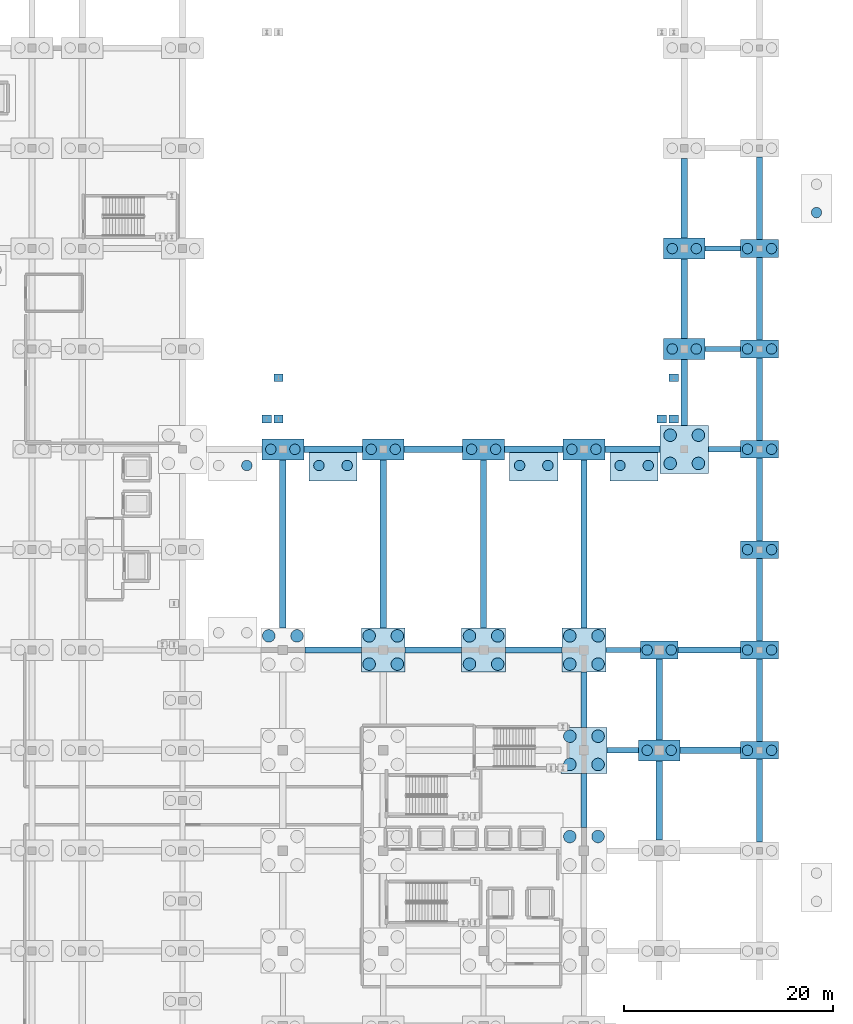
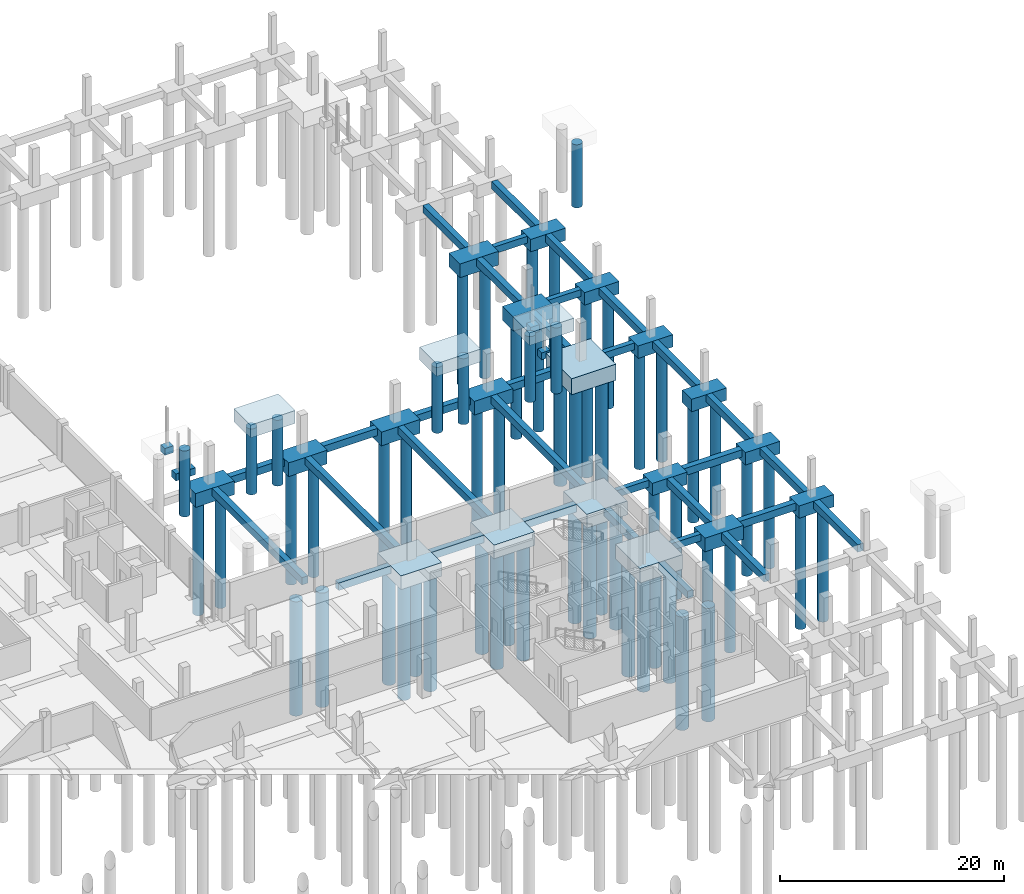
# One storey, part 10 of 54: 60 footings, 60 piles.
"""IFC4 building model written with IfcOpenShell, lengths in metres."""

from ifc_helpers import new_model, si_unit, direction, frame, origin, origin_2d, place, context, subcontext, project, spatial, rectangle, circle, extrude, material, material_profile, profile_set, type_object, element, save


model = new_model("IFC4")

# Units and contexts
model_context = context("Model", 3, precision=1e-05, world=origin(), true_north=direction((0.0, 1.0)))
body_context = subcontext(model_context, "Body", "Model", "MODEL_VIEW")
ifc_project = project(units=[si_unit("LENGTHUNIT", "METRE"), si_unit("AREAUNIT", "SQUARE_METRE"), si_unit("VOLUMEUNIT", "CUBIC_METRE"), si_unit("PLANEANGLEUNIT", "RADIAN"), si_unit("MASSUNIT", "GRAM", prefix="KILO")], contexts=[model_context])

# Site, building, storey
site_placement = place(None, origin())
site = spatial("IfcSite", under=ifc_project, at=site_placement, CompositionType="ELEMENT")
building_placement = place(site_placement, origin())
building = spatial("IfcBuilding", under=site, at=building_placement, Name="Zevrakil Square Congress Hotel", CompositionType="ELEMENT")
storey_placement = place(building_placement, frame((0.0, 0.0, -8.39990234375)))
storey = spatial("IfcBuildingStorey", under=building, at=storey_placement, Name="B2", CompositionType="ELEMENT", Elevation=-8.39990234375)

# Footings
ifc_material_1 = material(Name="Concrete C35/45", Category="concrete")
footing_type_1 = type_object("IfcFootingType", Name="FTG-PC2-360", PredefinedType="PILE_CAP", material=ifc_material_1)
for number, where, z_axis, x_axis, name in (
    (1, (163.199951171875, 45.60009765625, -1.35009765625), (0.0, 0.0, 1.0), (1.0, 0.0, 0.0), "Pile cap PC2-N163-045"),
    (2, (172.800048828125, 36.0, -1.35009765625), (0.0, 0.0, 1.0), (1.0, 0.0, 0.0), "Pile cap PC2-270"),
    (3, (172.800048828125, 45.60009765625, -1.35009765625), (0.0, 0.0, 1.0), (1.0, 0.0, 0.0), "Pile cap PC2-271"),
    (4, (172.800048828125, 55.199951171875, -1.35009765625), (0.0, 0.0, 1.0), (1.0, 0.0, 0.0), "Pile cap PC2-272"),
    (5, (172.800048828125, 64.800048828125, -1.35009765625), (0.0, 0.0, 1.0), (1.0, 0.0, 0.0), "Pile cap PC2-273"),
    (6, (172.800048828125, 74.39990234375, -1.35009765625), (0.0, 0.0, 1.0), (1.0, 0.0, 0.0), "Pile cap PC2-274"),
    (7, (172.800048828125, 84.0, -1.35009765625), (0.0, 0.0, 1.0), (1.0, 0.0, 0.0), "Pile cap PC2-275"),
):
    element("IfcFooting", number, at=place(storey_placement, frame(where, z_axis=z_axis, x_axis=x_axis)), inside=storey, type_object=footing_type_1, Name=name, PredefinedType="PILE_CAP", context=body_context, shape_type="SweptSolid", body=[
        extrude(rectangle(XDim=3.60009765625, YDim=1.699951171875, at=origin_2d()), origin(), (0.0, 0.0, 1.0), 1.35009765625),
    ])
ifc_material_2 = material(Name="Concrete C35/45", Category="concrete")
footing_type_2 = type_object("IfcFootingType", Name="FTG-PC2-400", PredefinedType="PILE_CAP", material=ifc_material_2)
for number, where, z_axis, x_axis, name in (
    (8, (127.199951171875, 64.800048828125, -1.5), (0.0, 0.0, 1.0), (1.0, 0.0, 0.0), "Pile cap PC2-203"),
    (9, (136.800048828125, 64.800048828125, -1.5), (0.0, 0.0, 1.0), (1.0, 0.0, 0.0), "Pile cap PC2-217"),
    (10, (146.39990234375, 64.800048828125, -1.5), (0.0, 0.0, 1.0), (1.0, 0.0, 0.0), "Pile cap PC2-231"),
    (11, (156.0, 64.800048828125, -1.5), (0.0, 0.0, 1.0), (1.0, 0.0, 0.0), "Pile cap PC2-245"),
    (12, (163.199951171875, 36.0, -1.5), (0.0, 0.0, 1.0), (1.0, 0.0, 0.0), "Pile cap PC2-N163-036"),
    (13, (165.60009765625, 74.39990234375, -1.5), (0.0, 0.0, 1.0), (1.0, 0.0, 0.0), "Pile cap PC2-260"),
    (14, (165.60009765625, 84.0, -1.5), (0.0, 0.0, 1.0), (1.0, 0.0, 0.0), "Pile cap PC2-261"),
):
    element("IfcFooting", number, at=place(storey_placement, frame(where, z_axis=z_axis, x_axis=x_axis)), inside=storey, type_object=footing_type_2, Name=name, PredefinedType="PILE_CAP", context=body_context, shape_type="SweptSolid", body=[
        extrude(rectangle(XDim=4.0, YDim=2.0, at=origin_2d()), origin(), (0.0, 0.0, 1.0), 1.5),
    ])
ifc_material_3 = material(Name="Concrete C35/45", Category="concrete")
footing_type_3 = type_object("IfcFootingType", Name="FTG-PC2-460x300", PredefinedType="PILE_CAP", material=ifc_material_3)
for number, where, z_axis, x_axis, name in (
    (15, (160.800048828125, 63.25, 5.75), (0.0, 0.0, 1.0), (1.0, 0.0, 0.0), "Exterior exit landing two-pile cap EX-ST09"),
    (16, (132.0, 63.25, 5.75), (0.0, 0.0, 1.0), (1.0, 0.0, 0.0), "Exterior exit landing two-pile cap EX-CS01"),
    (17, (151.199951171875, 63.25, 5.75), (0.0, 0.0, 1.0), (1.0, 0.0, 0.0), "Exterior exit landing two-pile cap EX-CS02"),
):
    element("IfcFooting", number, at=place(storey_placement, frame(where, z_axis=z_axis, x_axis=x_axis)), inside=storey, type_object=footing_type_3, Name=name, PredefinedType="PILE_CAP", context=body_context, shape_type="SweptSolid", body=[
        extrude(rectangle(XDim=4.60009765625, YDim=3.0, at=origin_2d()), origin(), (0.0, 0.0, 1.0), 1.39990234375),
    ])
ifc_material_4 = material(Name="Concrete C35/45", Category="concrete")
footing_type_4 = type_object("IfcFootingType", Name="FTG-PC4-420", PredefinedType="PILE_CAP", material=ifc_material_4)
for number, where, z_axis, x_axis, name in (
    (18, (136.800048828125, 45.60009765625, -1.5), (0.0, 0.0, 1.0), (1.0, 0.0, 0.0), "Pile cap PC4-215"),
    (19, (146.39990234375, 45.60009765625, -1.5), (0.0, 0.0, 1.0), (1.0, 0.0, 0.0), "Pile cap PC4-229"),
    (20, (156.0, 45.60009765625, -1.5), (0.0, 0.0, 1.0), (1.0, 0.0, 0.0), "Pile cap PC4-243"),
):
    element("IfcFooting", number, at=place(storey_placement, frame(where, z_axis=z_axis, x_axis=x_axis)), inside=storey, type_object=footing_type_4, Name=name, PredefinedType="PILE_CAP", context=body_context, shape_type="SweptSolid", body=[
        extrude(rectangle(XDim=4.199951171875, YDim=4.199951171875, at=origin_2d()), origin(), (0.0, 0.0, 1.0), 1.5),
    ])
ifc_material_5 = material(Name="Concrete C35/45", Category="concrete")
footing_type_5 = type_object("IfcFootingType", Name="FTG-PC4-440", PredefinedType="PILE_CAP", material=ifc_material_5)
footing_1_placement = place(storey_placement, frame((156.0, 36.0, -1.60009765625), z_axis=(0.0, 0.0, 1.0), x_axis=(1.0, 0.0, 0.0)))
element("IfcFooting", 21, at=footing_1_placement, inside=storey, type_object=footing_type_5, Name="Pile cap PC4-242", PredefinedType="PILE_CAP", context=body_context, shape_type="SweptSolid", body=[
    extrude(rectangle(XDim=4.39990234375, YDim=4.39990234375, at=origin_2d()), origin(), (0.0, 0.0, 1.0), 1.60009765625),
])
ifc_material_6 = material(Name="Concrete C35/45", Category="concrete")
footing_type_6 = type_object("IfcFootingType", Name="FTG-PC4-460", PredefinedType="PILE_CAP", material=ifc_material_6)
footing_2_placement = place(storey_placement, frame((165.60009765625, 64.800048828125, -1.75), z_axis=(0.0, 0.0, 1.0), x_axis=(1.0, 0.0, 0.0)))
element("IfcFooting", 22, at=footing_2_placement, inside=storey, type_object=footing_type_6, Name="Pile cap PC4-259", PredefinedType="PILE_CAP", context=body_context, shape_type="SweptSolid", body=[
    extrude(rectangle(XDim=4.60009765625, YDim=4.60009765625, at=origin_2d()), origin(), (0.0, 0.0, 1.0), 1.75),
])
ifc_material_7 = material(Name="Concrete C35/45", Category="concrete")
ifc_material_profile_1 = material_profile(ifc_material_7, rectangle(XDim=0.75, YDim=0.75, at=origin_2d()), Name="RC 750x750")
ifc_profile_set_1 = profile_set([ifc_material_profile_1], Name="Concrete C35/45")
footing_type_7 = type_object("IfcFootingType", Name="FTG-STRIP-750", PredefinedType="STRIP_FOOTING", material=ifc_profile_set_1)
footing_3_placement = place(storey_placement, frame((125.199951171875, 67.699951171875, -0.375), z_axis=(1.0, 0.0, 0.0), x_axis=(0.0, 1.0, 0.0)))
element("IfcFooting", 23, at=footing_3_placement, inside=storey, type_object=footing_type_7, Name="B2 stair post footing ST08-1", PredefinedType="STRIP_FOOTING", context=body_context, shape_type="SweptSolid", body=[
    extrude(rectangle(XDim=0.75, YDim=0.75, at=origin_2d()), origin(), (0.0, 0.0, 1.0), 0.900146484375),
])
for number, where, z_axis, x_axis, name in (
    (24, (126.330078125, 67.699951171875, -0.375), (1.0, 0.0, 0.0), (0.0, 1.0, 0.0), "B2 stair post footing ST08-2"),
    (25, (126.330078125, 71.64990234375, -0.375), (1.0, 0.0, 0.0), (0.0, 1.0, 0.0), "B2 stair post footing ST08-3"),
    (26, (163.0, 67.699951171875, -0.375), (1.0, 0.0, 0.0), (0.0, 1.0, 0.0), "B2 stair post footing ST09-1"),
):
    element("IfcFooting", number, at=place(storey_placement, frame(where, z_axis=z_axis, x_axis=x_axis)), inside=storey, type_object=footing_type_7, Name=name, PredefinedType="STRIP_FOOTING", context=body_context, shape_type="SweptSolid", body=[
        extrude(rectangle(XDim=0.75, YDim=0.75, at=origin_2d()), origin(), (0.0, 0.0, 1.0), 0.89990234375),
    ])
for number, where, z_axis, x_axis, name in (
    (27, (164.1298828125, 67.699951171875, -0.375), (1.0, 0.0, 0.0), (0.0, 1.0, 0.0), "B2 stair post footing ST09-2"),
    (28, (164.1298828125, 71.64990234375, -0.375), (1.0, 0.0, 0.0), (0.0, 1.0, 0.0), "B2 stair post footing ST09-3"),
):
    element("IfcFooting", number, at=place(storey_placement, frame(where, z_axis=z_axis, x_axis=x_axis)), inside=storey, type_object=footing_type_7, Name=name, PredefinedType="STRIP_FOOTING", context=body_context, shape_type="SweptSolid", body=[
        extrude(rectangle(XDim=0.75, YDim=0.75, at=origin_2d()), origin(), (0.0, 0.0, 1.0), 0.900146484375),
    ])
ifc_material_8 = material(Name="Concrete C35/45", Category="concrete")
ifc_material_profile_2 = material_profile(ifc_material_8, rectangle(XDim=0.5, YDim=0.75, at=origin_2d()), Name="RC 500x750")
ifc_profile_set_2 = profile_set([ifc_material_profile_2], Name="Concrete C35/45")
footing_type_8 = type_object("IfcFootingType", Name="FTG-TIE-500x750", PredefinedType="FOOTING_BEAM", material=ifc_profile_set_2)
footing_4_placement = place(storey_placement, frame((158.199951171875, 36.0, -0.375), z_axis=(1.0, 0.0, 0.0), x_axis=(0.0, 1.0, 0.0)))
element("IfcFooting", 29, at=footing_4_placement, inside=storey, type_object=footing_type_8, Name="Ground tie beam GB-086", PredefinedType="FOOTING_BEAM", context=body_context, shape_type="SweptSolid", body=[
    extrude(rectangle(XDim=0.5, YDim=0.75, at=origin_2d()), origin(), (0.0, 0.0, 1.0), 3.0),
])
footing_5_placement = place(storey_placement, frame((158.10009765625, 45.60009765625, -0.375), z_axis=(1.0, 0.0, 0.0), x_axis=(0.0, 1.0, 0.0)))
element("IfcFooting", 30, at=footing_5_placement, inside=storey, type_object=footing_type_8, Name="Ground tie beam GB-104", PredefinedType="FOOTING_BEAM", context=body_context, shape_type="SweptSolid", body=[
    extrude(rectangle(XDim=0.5, YDim=0.75, at=origin_2d()), origin(), (0.0, 0.0, 1.0), 3.2998046875),
])
footing_6_placement = place(storey_placement, frame((167.89990234375, 64.800048828125, -0.375), z_axis=(1.0, 0.0, 0.0), x_axis=(0.0, 1.0, 0.0)))
element("IfcFooting", 31, at=footing_6_placement, inside=storey, type_object=footing_type_8, Name="Ground tie beam GB-131", PredefinedType="FOOTING_BEAM", context=body_context, shape_type="SweptSolid", body=[
    extrude(rectangle(XDim=0.5, YDim=0.75, at=origin_2d()), origin(), (0.0, 0.0, 1.0), 3.10009765625),
])
for number, where, z_axis, x_axis, name in (
    (32, (167.60009765625, 74.39990234375, -0.375), (1.0, 0.0, 0.0), (0.0, 1.0, 0.0), "Ground tie beam GB-141"),
    (33, (167.60009765625, 84.0, -0.375), (1.0, 0.0, 0.0), (0.0, 1.0, 0.0), "Ground tie beam GB-154"),
):
    element("IfcFooting", number, at=place(storey_placement, frame(where, z_axis=z_axis, x_axis=x_axis)), inside=storey, type_object=footing_type_8, Name=name, PredefinedType="FOOTING_BEAM", context=body_context, shape_type="SweptSolid", body=[
        extrude(rectangle(XDim=0.5, YDim=0.75, at=origin_2d()), origin(), (0.0, 0.0, 1.0), 3.39990234375),
    ])
ifc_material_9 = material(Name="Concrete C35/45", Category="concrete")
ifc_material_profile_3 = material_profile(ifc_material_9, rectangle(XDim=0.60009765625, YDim=0.800048828125, at=origin_2d()), Name="RC 600x800")
ifc_profile_set_3 = profile_set([ifc_material_profile_3], Name="Concrete C35/45")
footing_type_9 = type_object("IfcFootingType", Name="FTG-TIE-600x800", PredefinedType="FOOTING_BEAM", material=ifc_profile_set_3)
footing_7_placement = place(storey_placement, frame((165.199951171875, 36.0, -0.400146484375), z_axis=(1.0, 0.0, 0.0), x_axis=(0.0, 1.0, 0.0)))
element("IfcFooting", 34, at=footing_7_placement, inside=storey, type_object=footing_type_9, Name="Ground tie beam GB-087", PredefinedType="FOOTING_BEAM", context=body_context, shape_type="SweptSolid", body=[
    extrude(rectangle(XDim=0.60009765625, YDim=0.800048828125, at=origin_2d()), origin(), (0.0, 0.0, 1.0), 5.800048828125),
])
footing_8_placement = place(storey_placement, frame((129.300048828125, 45.60009765625, -0.400146484375), z_axis=(1.0, 0.0, 0.0), x_axis=(0.0, 1.0, 0.0)))
element("IfcFooting", 35, at=footing_8_placement, inside=storey, type_object=footing_type_9, Name="Ground tie beam GB-101", PredefinedType="FOOTING_BEAM", context=body_context, shape_type="SweptSolid", body=[
    extrude(rectangle(XDim=0.60009765625, YDim=0.800048828125, at=origin_2d()), origin(), (0.0, 0.0, 1.0), 5.39990234375),
])
footing_9_placement = place(storey_placement, frame((138.89990234375, 45.60009765625, -0.400146484375), z_axis=(1.0, 0.0, 0.0), x_axis=(0.0, 1.0, 0.0)))
element("IfcFooting", 36, at=footing_9_placement, inside=storey, type_object=footing_type_9, Name="Ground tie beam GB-102", PredefinedType="FOOTING_BEAM", context=body_context, shape_type="SweptSolid", body=[
    extrude(rectangle(XDim=0.60009765625, YDim=0.800048828125, at=origin_2d()), origin(), (0.0, 0.0, 1.0), 5.400146484375),
])
footing_10_placement = place(storey_placement, frame((148.5, 45.60009765625, -0.400146484375), z_axis=(1.0, 0.0, 0.0), x_axis=(0.0, 1.0, 0.0)))
element("IfcFooting", 37, at=footing_10_placement, inside=storey, type_object=footing_type_9, Name="Ground tie beam GB-103", PredefinedType="FOOTING_BEAM", context=body_context, shape_type="SweptSolid", body=[
    extrude(rectangle(XDim=0.60009765625, YDim=0.800048828125, at=origin_2d()), origin(), (0.0, 0.0, 1.0), 5.39990234375),
])
footing_11_placement = place(storey_placement, frame((165.0, 45.60009765625, -0.400146484375), z_axis=(1.0, 0.0, 0.0), x_axis=(0.0, 1.0, 0.0)))
element("IfcFooting", 38, at=footing_11_placement, inside=storey, type_object=footing_type_9, Name="Ground tie beam GB-105", PredefinedType="FOOTING_BEAM", context=body_context, shape_type="SweptSolid", body=[
    extrude(rectangle(XDim=0.60009765625, YDim=0.800048828125, at=origin_2d()), origin(), (0.0, 0.0, 1.0), 6.0),
])
footing_12_placement = place(storey_placement, frame((129.199951171875, 64.800048828125, -0.400146484375), z_axis=(1.0, 0.0, 0.0), x_axis=(0.0, 1.0, 0.0)))
element("IfcFooting", 39, at=footing_12_placement, inside=storey, type_object=footing_type_9, Name="Ground tie beam GB-127", PredefinedType="FOOTING_BEAM", context=body_context, shape_type="SweptSolid", body=[
    extrude(rectangle(XDim=0.60009765625, YDim=0.800048828125, at=origin_2d()), origin(), (0.0, 0.0, 1.0), 5.60009765625),
])
footing_13_placement = place(storey_placement, frame((138.800048828125, 64.800048828125, -0.400146484375), z_axis=(1.0, 0.0, 0.0), x_axis=(0.0, 1.0, 0.0)))
element("IfcFooting", 40, at=footing_13_placement, inside=storey, type_object=footing_type_9, Name="Ground tie beam GB-128", PredefinedType="FOOTING_BEAM", context=body_context, shape_type="SweptSolid", body=[
    extrude(rectangle(XDim=0.60009765625, YDim=0.800048828125, at=origin_2d()), origin(), (0.0, 0.0, 1.0), 5.599853515625),
])
footing_14_placement = place(storey_placement, frame((148.39990234375, 64.800048828125, -0.400146484375), z_axis=(1.0, 0.0, 0.0), x_axis=(0.0, 1.0, 0.0)))
element("IfcFooting", 41, at=footing_14_placement, inside=storey, type_object=footing_type_9, Name="Ground tie beam GB-129", PredefinedType="FOOTING_BEAM", context=body_context, shape_type="SweptSolid", body=[
    extrude(rectangle(XDim=0.60009765625, YDim=0.800048828125, at=origin_2d()), origin(), (0.0, 0.0, 1.0), 5.60009765625),
])
footing_15_placement = place(storey_placement, frame((158.0, 64.800048828125, -0.400146484375), z_axis=(1.0, 0.0, 0.0), x_axis=(0.0, 1.0, 0.0)))
element("IfcFooting", 42, at=footing_15_placement, inside=storey, type_object=footing_type_9, Name="Ground tie beam GB-130", PredefinedType="FOOTING_BEAM", context=body_context, shape_type="SweptSolid", body=[
    extrude(rectangle(XDim=0.60009765625, YDim=0.800048828125, at=origin_2d()), origin(), (0.0, 0.0, 1.0), 5.300048828125),
])
for number, where, z_axis, x_axis, name in (
    (43, (127.199951171875, 47.699951171875, -0.400146484375), (0.0, 1.0, 0.0), (-1.0, 0.0, 0.0), "Ground tie beam GB-396"),
    (44, (136.800048828125, 47.699951171875, -0.400146484375), (0.0, 1.0, 0.0), (-1.0, 0.0, 0.0), "Ground tie beam GB-403"),
    (45, (146.39990234375, 47.699951171875, -0.400146484375), (0.0, 1.0, 0.0), (-1.0, 0.0, 0.0), "Ground tie beam GB-407"),
):
    element("IfcFooting", number, at=place(storey_placement, frame(where, z_axis=z_axis, x_axis=x_axis)), inside=storey, type_object=footing_type_9, Name=name, PredefinedType="FOOTING_BEAM", context=body_context, shape_type="SweptSolid", body=[
        extrude(rectangle(XDim=0.60009765625, YDim=0.800048828125, at=origin_2d()), origin(), (0.0, 0.0, 1.0), 16.10009765625),
    ])
footing_16_placement = place(storey_placement, frame((156.0, 28.60009765625, -0.400146484375), z_axis=(0.0, 1.0, 0.0), x_axis=(-1.0, 0.0, 0.0)))
element("IfcFooting", 46, at=footing_16_placement, inside=storey, type_object=footing_type_9, Name="Ground tie beam GB-412", PredefinedType="FOOTING_BEAM", context=body_context, shape_type="SweptSolid", body=[
    extrude(rectangle(XDim=0.60009765625, YDim=0.800048828125, at=origin_2d()), origin(), (0.0, 0.0, 1.0), 5.199951171875),
])
footing_17_placement = place(storey_placement, frame((156.0, 38.199951171875, -0.400146484375), z_axis=(0.0, 1.0, 0.0), x_axis=(-1.0, 0.0, 0.0)))
element("IfcFooting", 47, at=footing_17_placement, inside=storey, type_object=footing_type_9, Name="Ground tie beam GB-413", PredefinedType="FOOTING_BEAM", context=body_context, shape_type="SweptSolid", body=[
    extrude(rectangle(XDim=0.60009765625, YDim=0.800048828125, at=origin_2d()), origin(), (0.0, 0.0, 1.0), 5.300048828125),
])
footing_18_placement = place(storey_placement, frame((156.0, 47.699951171875, -0.400146484375), z_axis=(0.0, 1.0, 0.0), x_axis=(-1.0, 0.0, 0.0)))
element("IfcFooting", 48, at=footing_18_placement, inside=storey, type_object=footing_type_9, Name="Ground tie beam GB-414", PredefinedType="FOOTING_BEAM", context=body_context, shape_type="SweptSolid", body=[
    extrude(rectangle(XDim=0.60009765625, YDim=0.800048828125, at=origin_2d()), origin(), (0.0, 0.0, 1.0), 16.10009765625),
])
footing_19_placement = place(storey_placement, frame((163.199951171875, 27.39990234375, -0.400146484375), z_axis=(0.0, 1.0, 0.0), x_axis=(-1.0, 0.0, 0.0)))
element("IfcFooting", 49, at=footing_19_placement, inside=storey, type_object=footing_type_9, Name="Ground tie beam GB-418", PredefinedType="FOOTING_BEAM", context=body_context, shape_type="SweptSolid", body=[
    extrude(rectangle(XDim=0.60009765625, YDim=0.800048828125, at=origin_2d()), origin(), (0.0, 0.0, 1.0), 7.60009765625),
])
footing_20_placement = place(storey_placement, frame((163.199951171875, 37.0, -0.400146484375), z_axis=(0.0, 1.0, 0.0), x_axis=(-1.0, 0.0, 0.0)))
element("IfcFooting", 50, at=footing_20_placement, inside=storey, type_object=footing_type_9, Name="Ground tie beam GB-419", PredefinedType="FOOTING_BEAM", context=body_context, shape_type="SweptSolid", body=[
    extrude(rectangle(XDim=0.60009765625, YDim=0.800048828125, at=origin_2d()), origin(), (0.0, 0.0, 1.0), 7.75),
])
footing_21_placement = place(storey_placement, frame((165.60009765625, 67.10009765625, -0.400146484375), z_axis=(0.0, 1.0, 0.0), x_axis=(-1.0, 0.0, 0.0)))
element("IfcFooting", 51, at=footing_21_placement, inside=storey, type_object=footing_type_9, Name="Ground tie beam GB-420", PredefinedType="FOOTING_BEAM", context=body_context, shape_type="SweptSolid", body=[
    extrude(rectangle(XDim=0.60009765625, YDim=0.800048828125, at=origin_2d()), origin(), (0.0, 0.0, 1.0), 6.2998046875),
])
for number, where, z_axis, x_axis, name in (
    (52, (165.60009765625, 75.39990234375, -0.400146484375), (0.0, 1.0, 0.0), (-1.0, 0.0, 0.0), "Ground tie beam GB-421"),
    (53, (165.60009765625, 85.0, -0.400146484375), (0.0, 1.0, 0.0), (-1.0, 0.0, 0.0), "Ground tie beam GB-422"),
):
    element("IfcFooting", number, at=place(storey_placement, frame(where, z_axis=z_axis, x_axis=x_axis)), inside=storey, type_object=footing_type_9, Name=name, PredefinedType="FOOTING_BEAM", context=body_context, shape_type="SweptSolid", body=[
        extrude(rectangle(XDim=0.60009765625, YDim=0.800048828125, at=origin_2d()), origin(), (0.0, 0.0, 1.0), 7.60009765625),
    ])
for number, where, z_axis, x_axis, name in (
    (54, (172.800048828125, 27.25, -0.400146484375), (0.0, 1.0, 0.0), (-1.0, 0.0, 0.0), "Ground tie beam GB-429"),
    (55, (172.800048828125, 36.85009765625, -0.400146484375), (0.0, 1.0, 0.0), (-1.0, 0.0, 0.0), "Ground tie beam GB-430"),
):
    element("IfcFooting", number, at=place(storey_placement, frame(where, z_axis=z_axis, x_axis=x_axis)), inside=storey, type_object=footing_type_9, Name=name, PredefinedType="FOOTING_BEAM", context=body_context, shape_type="SweptSolid", body=[
        extrude(rectangle(XDim=0.60009765625, YDim=0.800048828125, at=origin_2d()), origin(), (0.0, 0.0, 1.0), 7.89990234375),
    ])
footing_22_placement = place(storey_placement, frame((172.800048828125, 46.449951171875, -0.400146484375), z_axis=(0.0, 1.0, 0.0), x_axis=(-1.0, 0.0, 0.0)))
element("IfcFooting", 56, at=footing_22_placement, inside=storey, type_object=footing_type_9, Name="Ground tie beam GB-431", PredefinedType="FOOTING_BEAM", context=body_context, shape_type="SweptSolid", body=[
    extrude(rectangle(XDim=0.60009765625, YDim=0.800048828125, at=origin_2d()), origin(), (0.0, 0.0, 1.0), 7.900146484375),
])
footing_23_placement = place(storey_placement, frame((172.800048828125, 56.050048828125, -0.400146484375), z_axis=(0.0, 1.0, 0.0), x_axis=(-1.0, 0.0, 0.0)))
element("IfcFooting", 57, at=footing_23_placement, inside=storey, type_object=footing_type_9, Name="Ground tie beam GB-432", PredefinedType="FOOTING_BEAM", context=body_context, shape_type="SweptSolid", body=[
    extrude(rectangle(XDim=0.60009765625, YDim=0.800048828125, at=origin_2d()), origin(), (0.0, 0.0, 1.0), 7.89990234375),
])
footing_24_placement = place(storey_placement, frame((172.800048828125, 65.64990234375, -0.400146484375), z_axis=(0.0, 1.0, 0.0), x_axis=(-1.0, 0.0, 0.0)))
element("IfcFooting", 58, at=footing_24_placement, inside=storey, type_object=footing_type_9, Name="Ground tie beam GB-433", PredefinedType="FOOTING_BEAM", context=body_context, shape_type="SweptSolid", body=[
    extrude(rectangle(XDim=0.60009765625, YDim=0.800048828125, at=origin_2d()), origin(), (0.0, 0.0, 1.0), 7.900146484375),
])
for number, where, z_axis, x_axis, name in (
    (59, (172.800048828125, 75.25, -0.400146484375), (0.0, 1.0, 0.0), (-1.0, 0.0, 0.0), "Ground tie beam GB-434"),
    (60, (172.800048828125, 84.85009765625, -0.400146484375), (0.0, 1.0, 0.0), (-1.0, 0.0, 0.0), "Ground tie beam GB-435"),
):
    element("IfcFooting", number, at=place(storey_placement, frame(where, z_axis=z_axis, x_axis=x_axis)), inside=storey, type_object=footing_type_9, Name=name, PredefinedType="FOOTING_BEAM", context=body_context, shape_type="SweptSolid", body=[
        extrude(rectangle(XDim=0.60009765625, YDim=0.800048828125, at=origin_2d()), origin(), (0.0, 0.0, 1.0), 7.89990234375),
    ])

# Piles
ifc_material_10 = material(Name="Concrete C35/45", Category="concrete")
ifc_material_profile_4 = material_profile(ifc_material_10, circle(Radius=0.5, at=origin_2d()), Name="PILE D1000")
ifc_profile_set_4 = profile_set([ifc_material_profile_4], Name="Concrete C35/45")
pile_type_1 = type_object("IfcPileType", Name="PILE-BORED-1000", PredefinedType="BORED", material=ifc_profile_set_4)
for number, where, z_axis, x_axis, name in (
    (61, (126.050048828125, 64.800048828125, -1.400146484375), (0.0, 0.0, -1.0), (1.0, 0.0, 0.0), "Bored pile PC2-203-1"),
    (62, (128.35009765625, 64.800048828125, -1.400146484375), (0.0, 0.0, -1.0), (1.0, 0.0, 0.0), "Bored pile PC2-203-2"),
    (63, (135.64990234375, 64.800048828125, -1.400146484375), (0.0, 0.0, -1.0), (1.0, 0.0, 0.0), "Bored pile PC2-217-1"),
    (64, (137.949951171875, 64.800048828125, -1.400146484375), (0.0, 0.0, -1.0), (1.0, 0.0, 0.0), "Bored pile PC2-217-2"),
    (65, (145.25, 64.800048828125, -1.400146484375), (0.0, 0.0, -1.0), (1.0, 0.0, 0.0), "Bored pile PC2-231-1"),
    (66, (147.550048828125, 64.800048828125, -1.400146484375), (0.0, 0.0, -1.0), (1.0, 0.0, 0.0), "Bored pile PC2-231-2"),
    (67, (154.85009765625, 64.800048828125, -1.400146484375), (0.0, 0.0, -1.0), (1.0, 0.0, 0.0), "Bored pile PC2-245-1"),
    (68, (157.14990234375, 64.800048828125, -1.400146484375), (0.0, 0.0, -1.0), (1.0, 0.0, 0.0), "Bored pile PC2-245-2"),
    (69, (162.050048828125, 36.0, -1.400146484375), (0.0, 0.0, -1.0), (1.0, 0.0, 0.0), "Bored pile PC2-N163-036-1"),
    (70, (164.35009765625, 36.0, -1.400146484375), (0.0, 0.0, -1.0), (1.0, 0.0, 0.0), "Bored pile PC2-N163-036-2"),
):
    element("IfcPile", number, at=place(storey_placement, frame(where, z_axis=z_axis, x_axis=x_axis)), inside=storey, type_object=pile_type_1, Name=name, PredefinedType="BORED", context=body_context, shape_type="SweptSolid", body=[
        extrude(circle(Radius=0.5, at=origin_2d()), origin(), (0.0, 0.0, 1.0), 12.5),
    ])
for number, where, z_axis, x_axis, name in (
    (71, (162.050048828125, 45.60009765625, -1.25), (0.0, 0.0, -1.0), (1.0, 0.0, 0.0), "Bored pile PC2-N163-045-1"),
    (72, (164.35009765625, 45.60009765625, -1.25), (0.0, 0.0, -1.0), (1.0, 0.0, 0.0), "Bored pile PC2-N163-045-2"),
):
    element("IfcPile", number, at=place(storey_placement, frame(where, z_axis=z_axis, x_axis=x_axis)), inside=storey, type_object=pile_type_1, Name=name, PredefinedType="BORED", context=body_context, shape_type="SweptSolid", body=[
        extrude(circle(Radius=0.5, at=origin_2d()), origin(), (0.0, 0.0, 1.0), 12.64990234375),
    ])
for number, where, z_axis, x_axis, name in (
    (73, (164.449951171875, 74.39990234375, -1.400146484375), (0.0, 0.0, -1.0), (1.0, 0.0, 0.0), "Bored pile PC2-260-1"),
    (74, (166.75, 74.39990234375, -1.400146484375), (0.0, 0.0, -1.0), (1.0, 0.0, 0.0), "Bored pile PC2-260-2"),
    (75, (164.449951171875, 84.0, -1.400146484375), (0.0, 0.0, -1.0), (1.0, 0.0, 0.0), "Bored pile PC2-261-1"),
    (76, (166.75, 84.0, -1.400146484375), (0.0, 0.0, -1.0), (1.0, 0.0, 0.0), "Bored pile PC2-261-2"),
):
    element("IfcPile", number, at=place(storey_placement, frame(where, z_axis=z_axis, x_axis=x_axis)), inside=storey, type_object=pile_type_1, Name=name, PredefinedType="BORED", context=body_context, shape_type="SweptSolid", body=[
        extrude(circle(Radius=0.5, at=origin_2d()), origin(), (0.0, 0.0, 1.0), 12.5),
    ])
for number, where, z_axis, x_axis, name in (
    (77, (171.64990234375, 36.0, -1.25), (0.0, 0.0, -1.0), (1.0, 0.0, 0.0), "Bored pile PC2-270-1"),
    (78, (173.949951171875, 36.0, -1.25), (0.0, 0.0, -1.0), (1.0, 0.0, 0.0), "Bored pile PC2-270-2"),
    (79, (171.64990234375, 45.60009765625, -1.25), (0.0, 0.0, -1.0), (1.0, 0.0, 0.0), "Bored pile PC2-271-1"),
    (80, (173.949951171875, 45.60009765625, -1.25), (0.0, 0.0, -1.0), (1.0, 0.0, 0.0), "Bored pile PC2-271-2"),
    (81, (171.64990234375, 55.199951171875, -1.25), (0.0, 0.0, -1.0), (1.0, 0.0, 0.0), "Bored pile PC2-272-1"),
    (82, (173.949951171875, 55.199951171875, -1.25), (0.0, 0.0, -1.0), (1.0, 0.0, 0.0), "Bored pile PC2-272-2"),
    (83, (171.64990234375, 64.800048828125, -1.25), (0.0, 0.0, -1.0), (1.0, 0.0, 0.0), "Bored pile PC2-273-1"),
    (84, (173.949951171875, 64.800048828125, -1.25), (0.0, 0.0, -1.0), (1.0, 0.0, 0.0), "Bored pile PC2-273-2"),
    (85, (171.64990234375, 74.39990234375, -1.25), (0.0, 0.0, -1.0), (1.0, 0.0, 0.0), "Bored pile PC2-274-1"),
    (86, (173.949951171875, 74.39990234375, -1.25), (0.0, 0.0, -1.0), (1.0, 0.0, 0.0), "Bored pile PC2-274-2"),
    (87, (171.64990234375, 84.0, -1.25), (0.0, 0.0, -1.0), (1.0, 0.0, 0.0), "Bored pile PC2-275-1"),
    (88, (173.949951171875, 84.0, -1.25), (0.0, 0.0, -1.0), (1.0, 0.0, 0.0), "Bored pile PC2-275-2"),
):
    element("IfcPile", number, at=place(storey_placement, frame(where, z_axis=z_axis, x_axis=x_axis)), inside=storey, type_object=pile_type_1, Name=name, PredefinedType="BORED", context=body_context, shape_type="SweptSolid", body=[
        extrude(circle(Radius=0.5, at=origin_2d()), origin(), (0.0, 0.0, 1.0), 12.64990234375),
    ])
for number, where, z_axis, x_axis, name in (
    (89, (123.75, 63.25, 5.849853515625), (0.0, 0.0, -1.0), (1.0, 0.0, 0.0), "Exterior exit apron bored pile EX-ST08-2"),
    (90, (159.449951171875, 63.25, 5.849853515625), (0.0, 0.0, -1.0), (1.0, 0.0, 0.0), "Exterior exit apron bored pile EX-ST09-1"),
    (91, (162.14990234375, 63.25, 5.849853515625), (0.0, 0.0, -1.0), (1.0, 0.0, 0.0), "Exterior exit apron bored pile EX-ST09-2"),
    (92, (130.64990234375, 63.25, 5.849853515625), (0.0, 0.0, -1.0), (1.0, 0.0, 0.0), "Exterior exit apron bored pile EX-CS01-1"),
    (93, (133.35009765625, 63.25, 5.849853515625), (0.0, 0.0, -1.0), (1.0, 0.0, 0.0), "Exterior exit apron bored pile EX-CS01-2"),
    (94, (149.85009765625, 63.25, 5.849853515625), (0.0, 0.0, -1.0), (1.0, 0.0, 0.0), "Exterior exit apron bored pile EX-CS02-1"),
    (95, (152.550048828125, 63.25, 5.849853515625), (0.0, 0.0, -1.0), (1.0, 0.0, 0.0), "Exterior exit apron bored pile EX-CS02-2"),
):
    element("IfcPile", number, at=place(storey_placement, frame(where, z_axis=z_axis, x_axis=x_axis)), inside=storey, type_object=pile_type_1, Name=name, PredefinedType="BORED", context=body_context, shape_type="SweptSolid", body=[
        extrude(circle(Radius=0.5, at=origin_2d()), origin(), (0.0, 0.0, 1.0), 7.199951171875),
    ])
pile_placement = place(storey_placement, frame((178.25, 87.449951171875, 5.5498046875), z_axis=(0.0, 0.0, -1.0), x_axis=(1.0, 0.0, 0.0)))
element("IfcPile", 96, at=pile_placement, inside=storey, type_object=pile_type_1, Name="Accessible ramp apron bored pile PR-05-1", PredefinedType="BORED", context=body_context, shape_type="SweptSolid", body=[
    extrude(circle(Radius=0.5, at=origin_2d()), origin(), (0.0, 0.0, 1.0), 6.89990234375),
])
ifc_material_11 = material(Name="Concrete C35/45", Category="concrete")
ifc_material_profile_5 = material_profile(ifc_material_11, circle(Radius=0.60009765625, at=origin_2d()), Name="PILE D1200")
ifc_profile_set_5 = profile_set([ifc_material_profile_5], Name="Concrete C35/45")
pile_type_2 = type_object("IfcPileType", Name="PILE-BORED-1200", PredefinedType="BORED", material=ifc_profile_set_5)
for number, where, z_axis, x_axis, name in (
    (97, (125.85009765625, 46.949951171875, -1.400146484375), (0.0, 0.0, -1.0), (1.0, 0.0, 0.0), "Bored pile PC4-201-3"),
    (98, (128.550048828125, 46.949951171875, -1.400146484375), (0.0, 0.0, -1.0), (1.0, 0.0, 0.0), "Bored pile PC4-201-4"),
    (99, (135.449951171875, 44.25, -1.400146484375), (0.0, 0.0, -1.0), (1.0, 0.0, 0.0), "Bored pile PC4-215-1"),
    (100, (138.14990234375, 44.25, -1.400146484375), (0.0, 0.0, -1.0), (1.0, 0.0, 0.0), "Bored pile PC4-215-2"),
    (101, (135.449951171875, 46.949951171875, -1.400146484375), (0.0, 0.0, -1.0), (1.0, 0.0, 0.0), "Bored pile PC4-215-3"),
    (102, (138.14990234375, 46.949951171875, -1.400146484375), (0.0, 0.0, -1.0), (1.0, 0.0, 0.0), "Bored pile PC4-215-4"),
    (103, (145.050048828125, 44.25, -1.400146484375), (0.0, 0.0, -1.0), (1.0, 0.0, 0.0), "Bored pile PC4-229-1"),
    (104, (147.75, 44.25, -1.400146484375), (0.0, 0.0, -1.0), (1.0, 0.0, 0.0), "Bored pile PC4-229-2"),
    (105, (145.050048828125, 46.949951171875, -1.400146484375), (0.0, 0.0, -1.0), (1.0, 0.0, 0.0), "Bored pile PC4-229-3"),
    (106, (147.75, 46.949951171875, -1.400146484375), (0.0, 0.0, -1.0), (1.0, 0.0, 0.0), "Bored pile PC4-229-4"),
):
    element("IfcPile", number, at=place(storey_placement, frame(where, z_axis=z_axis, x_axis=x_axis)), inside=storey, type_object=pile_type_2, Name=name, PredefinedType="BORED", context=body_context, shape_type="SweptSolid", body=[
        extrude(circle(Radius=0.60009765625, at=origin_2d()), origin(), (0.0, 0.0, 1.0), 12.5),
    ])
for number, where, z_axis, x_axis, name in (
    (107, (154.64990234375, 27.75, -1.5), (0.0, 0.0, -1.0), (1.0, 0.0, 0.0), "Bored pile PC4-241-3"),
    (108, (157.35009765625, 27.75, -1.5), (0.0, 0.0, -1.0), (1.0, 0.0, 0.0), "Bored pile PC4-241-4"),
    (109, (154.64990234375, 34.64990234375, -1.5), (0.0, 0.0, -1.0), (1.0, 0.0, 0.0), "Bored pile PC4-242-1"),
    (110, (157.35009765625, 34.64990234375, -1.5), (0.0, 0.0, -1.0), (1.0, 0.0, 0.0), "Bored pile PC4-242-2"),
    (111, (154.64990234375, 37.35009765625, -1.5), (0.0, 0.0, -1.0), (1.0, 0.0, 0.0), "Bored pile PC4-242-3"),
    (112, (157.35009765625, 37.35009765625, -1.5), (0.0, 0.0, -1.0), (1.0, 0.0, 0.0), "Bored pile PC4-242-4"),
):
    element("IfcPile", number, at=place(storey_placement, frame(where, z_axis=z_axis, x_axis=x_axis)), inside=storey, type_object=pile_type_2, Name=name, PredefinedType="BORED", context=body_context, shape_type="SweptSolid", body=[
        extrude(circle(Radius=0.60009765625, at=origin_2d()), origin(), (0.0, 0.0, 1.0), 12.39990234375),
    ])
for number, where, z_axis, x_axis, name in (
    (113, (154.64990234375, 44.25, -1.400146484375), (0.0, 0.0, -1.0), (1.0, 0.0, 0.0), "Bored pile PC4-243-1"),
    (114, (157.35009765625, 44.25, -1.400146484375), (0.0, 0.0, -1.0), (1.0, 0.0, 0.0), "Bored pile PC4-243-2"),
    (115, (154.64990234375, 46.949951171875, -1.400146484375), (0.0, 0.0, -1.0), (1.0, 0.0, 0.0), "Bored pile PC4-243-3"),
    (116, (157.35009765625, 46.949951171875, -1.400146484375), (0.0, 0.0, -1.0), (1.0, 0.0, 0.0), "Bored pile PC4-243-4"),
):
    element("IfcPile", number, at=place(storey_placement, frame(where, z_axis=z_axis, x_axis=x_axis)), inside=storey, type_object=pile_type_2, Name=name, PredefinedType="BORED", context=body_context, shape_type="SweptSolid", body=[
        extrude(circle(Radius=0.60009765625, at=origin_2d()), origin(), (0.0, 0.0, 1.0), 12.5),
    ])
for number, where, z_axis, x_axis, name in (
    (117, (164.25, 63.449951171875, -1.650146484375), (0.0, 0.0, -1.0), (1.0, 0.0, 0.0), "Bored pile PC4-259-1"),
    (118, (166.949951171875, 63.449951171875, -1.650146484375), (0.0, 0.0, -1.0), (1.0, 0.0, 0.0), "Bored pile PC4-259-2"),
    (119, (164.25, 66.14990234375, -1.650146484375), (0.0, 0.0, -1.0), (1.0, 0.0, 0.0), "Bored pile PC4-259-3"),
    (120, (166.949951171875, 66.14990234375, -1.650146484375), (0.0, 0.0, -1.0), (1.0, 0.0, 0.0), "Bored pile PC4-259-4"),
):
    element("IfcPile", number, at=place(storey_placement, frame(where, z_axis=z_axis, x_axis=x_axis)), inside=storey, type_object=pile_type_2, Name=name, PredefinedType="BORED", context=body_context, shape_type="SweptSolid", body=[
        extrude(circle(Radius=0.60009765625, at=origin_2d()), origin(), (0.0, 0.0, 1.0), 12.25),
    ])

save(model, "model.ifc")
